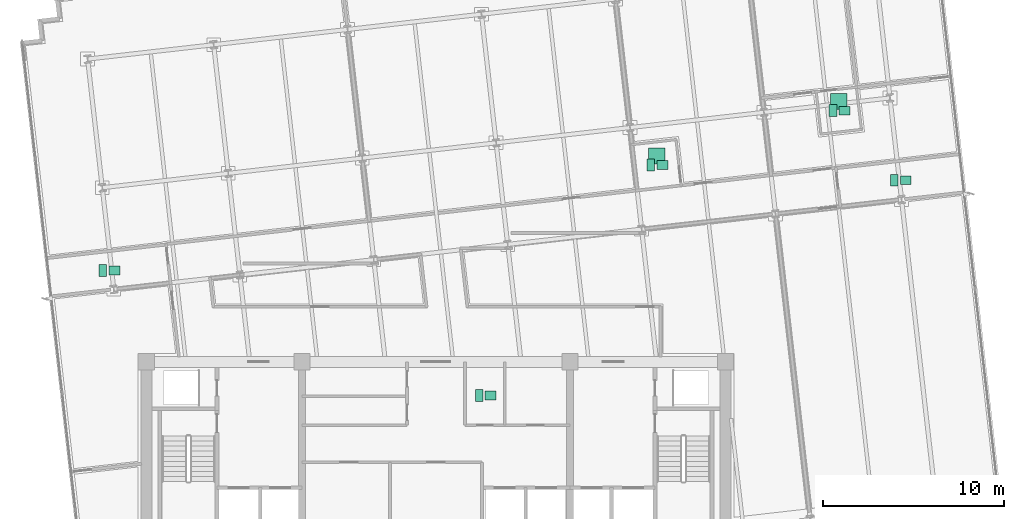
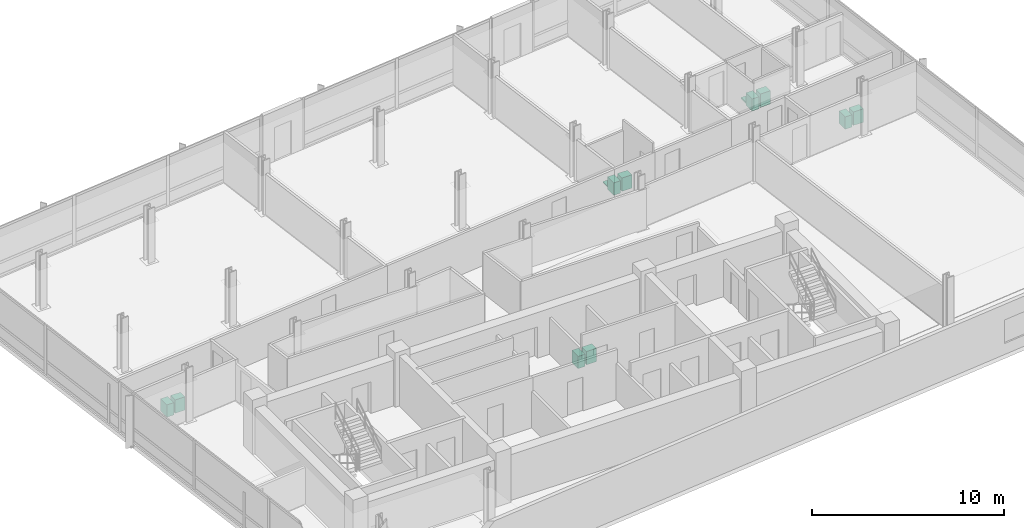
# One storey, part 16 of 16: 12 sanitary terminals.
"""IFC4 building model written with IfcOpenShell, lengths in metres."""

import ifcopenshell
import ifcopenshell.guid

model = None  # the IFC model being written
_history = None  # IfcOwnerHistory: only IFC2X3 demands one
_inside = {}  # id of a spatial element -> (the spatial element, [elements in it])
_under = {}  # id of a project, library or spatial element -> (it, [spatial elements below it])
_declared = {}  # id of a project -> (the project, [libraries it declares])
_typed = {}  # id of a type object -> (the type object, [elements of that type])
_made_of = {}  # id of a material, layer set ... -> (it, [elements and type objects made of it])


def new_model(schema):
    """Start an empty IFC model of exactly this schema.

    Asked for "IFC4X3", IfcOpenShell would pick the latest addendum, in which some entities
    have other attributes; the version numbers below select the first issue.
    IFC2X3 requires an IfcOwnerHistory on every rooted entity: one is made here for all.
    """
    global model, _history
    if schema == "IFC4X3":
        model = ifcopenshell.file(schema_version=(4, 3, 0, 0))
    else:
        model = ifcopenshell.file(schema=schema)
    _inside.clear()
    _under.clear()
    _declared.clear()
    _typed.clear()
    _made_of.clear()
    _history = None
    if model.schema == "IFC2X3":
        org = make("IfcOrganization", Name="unknown")
        user = make(
            "IfcPersonAndOrganization",
            ThePerson=make("IfcPerson", FamilyName="unknown"),
            TheOrganization=org,
        )
        app = make(
            "IfcApplication",
            ApplicationDeveloper=org,
            Version="unknown",
            ApplicationFullName="unknown",
            ApplicationIdentifier="unknown",
        )
        _history = make(
            "IfcOwnerHistory",
            OwningUser=user,
            OwningApplication=app,
            ChangeAction="ADDED",
            CreationDate=0,
        )
    return model


def make(cls, **values):
    """One entity of the class cls with the attributes given. An attribute that is None is left unset."""
    return model.create_entity(
        cls, **{name: value for name, value in values.items() if value is not None}
    )


def rooted(cls, **values):
    """An entity with a GlobalId (a new one), such as an element, a storey or a relation."""
    return make(cls, GlobalId=ifcopenshell.guid.new(), OwnerHistory=_history, **values)


def si_unit(unit_type, name, prefix=None):
    """IfcSIUnit, for example si_unit("LENGTHUNIT", "METRE", prefix="MILLI")."""
    return make("IfcSIUnit", UnitType=unit_type, Prefix=prefix, Name=name)


def assignment(units):
    """IfcUnitAssignment: the units of a project."""
    return None if units is None else make("IfcUnitAssignment", Units=units)


def point(xyz):
    """IfcCartesianPoint."""
    return None if xyz is None else make("IfcCartesianPoint", Coordinates=xyz)


def direction(xyz):
    """IfcDirection."""
    return None if xyz is None else make("IfcDirection", DirectionRatios=xyz)


def frame(location, z_axis=None, x_axis=None):
    """IfcAxis2Placement3D, a coordinate frame: its origin and axes. An axis left out is left unset."""
    return make(
        "IfcAxis2Placement3D",
        Location=point(location),
        Axis=direction(z_axis),
        RefDirection=direction(x_axis),
    )


def frame_2d(location, x_axis=None):
    """IfcAxis2Placement2D, a coordinate frame in the plane: its origin and x axis."""
    return make(
        "IfcAxis2Placement2D", Location=point(location), RefDirection=direction(x_axis)
    )


def origin():
    """The frame at (0, 0, 0) with its axes left unset."""
    return frame((0.0, 0.0, 0.0))


def origin_2d():
    """The frame at (0, 0) in the plane with its x axis left unset."""
    return frame_2d((0.0, 0.0))


def place(relative_to, where):
    """IfcLocalPlacement: puts the frame where relative to a parent placement (None: the world)."""
    return make(
        "IfcLocalPlacement", PlacementRelTo=relative_to, RelativePlacement=where
    )


def context(
    kind, dimensions, precision=None, world=None, true_north=None, identifier=None
):
    """IfcGeometricRepresentationContext, for example the 3D "Model" context."""
    return make(
        "IfcGeometricRepresentationContext",
        ContextIdentifier=identifier,
        ContextType=kind,
        CoordinateSpaceDimension=dimensions,
        Precision=precision,
        WorldCoordinateSystem=world,
        TrueNorth=true_north,
    )


def subcontext(parent, identifier, kind, view, scale=None):
    """IfcGeometricRepresentationSubContext, for example "Body" below "Model"."""
    return make(
        "IfcGeometricRepresentationSubContext",
        ContextIdentifier=identifier,
        ContextType=kind,
        ParentContext=parent,
        TargetScale=scale,
        TargetView=view,
    )


def project(units=None, contexts=None):
    """IfcProject with its units and contexts."""
    return rooted(
        "IfcProject",
        Name="project",
        RepresentationContexts=contexts,
        UnitsInContext=assignment(units),
    )


def spatial(cls, under=None, at=None, **own):
    """A site, building, storey or space (cls), placed at a placement, below another one or the project."""
    s = rooted(cls, ObjectPlacement=at, **own)
    if under is not None:
        _under.setdefault(under.id(), (under, []))[1].append(s)
    return s


def profile(cls, at=None, kind="AREA", **sizes):
    """A parametric profile (cls). Its sizes go by their IFC names, for example OverallWidth=200.0."""
    return make(cls, ProfileType=kind, Position=at, **sizes)


def rectangle(**sizes):
    """IfcRectangleProfileDef."""
    return profile("IfcRectangleProfileDef", **sizes)


def extrude(swept, where, along, depth):
    """IfcExtrudedAreaSolid: the profile swept, set in the frame where, extruded along a direction by depth."""
    return make(
        "IfcExtrudedAreaSolid",
        SweptArea=swept,
        Position=where,
        ExtrudedDirection=direction(along),
        Depth=depth,
    )


def shape(context_of_items, identifier, shape_type, items):
    """IfcShapeRepresentation: the items that make up one representation, for example the "Body"."""
    return make(
        "IfcShapeRepresentation",
        ContextOfItems=context_of_items,
        RepresentationIdentifier=identifier,
        RepresentationType=shape_type,
        Items=items,
    )


def material(Name=None, Category=None):
    """IfcMaterial."""
    return make("IfcMaterial", Name=Name, Category=Category)


def made_of(thing, what):
    """Note that an element or type object is made of a material, layer set ...; save() writes the relation."""
    if what is not None:
        _made_of.setdefault(what.id(), (what, []))[1].append(thing)
    return thing


def type_object(cls, material=None, **own):
    """A type object (cls), such as IfcWallType, which elements share."""
    return made_of(rooted(cls, **own), material)


def element(
    cls,
    number,
    at=None,
    inside=None,
    cuts=None,
    type_object=None,
    material=None,
    context=None,
    identifier="Body",
    shape_type=None,
    held_by="IfcProductDefinitionShape",
    body=None,
    shapes=None,
    **own,
):
    """One element of the class cls, such as IfcWall. Its Tag is "e" and its number.

    at: its placement. inside: the storey or other place that contains it. cuts: it is an
    opening in that element (IfcRelVoidsElement). A single representation is given by context,
    identifier, shape_type and body (its items); several are given by shapes. held_by: the class
    of the entity that holds the representations. save() writes the other relations.
    """
    e = rooted(cls, Tag="e%d" % number, ObjectPlacement=at, **own)
    if body is not None:
        shapes = [shape(context, identifier, shape_type, body)]
    if shapes is not None:
        e.Representation = make(held_by, Representations=shapes)
    if inside is not None:
        _inside.setdefault(inside.id(), (inside, []))[1].append(e)
    if cuts is not None:
        rooted(
            "IfcRelVoidsElement", RelatingBuildingElement=cuts, RelatedOpeningElement=e
        )
    if type_object is not None:
        _typed.setdefault(type_object.id(), (type_object, []))[1].append(e)
    return made_of(e, material)


def aggregate(whole, parts):
    """IfcRelAggregates: a whole, such as a stair, and the parts it consists of."""
    return rooted("IfcRelAggregates", RelatingObject=whole, RelatedObjects=parts)


def save(model, path):
    """Write the relations noted so far, then the file.

    IfcRelAggregates (storeys below a building ...), IfcRelContainedInSpatialStructure (elements
    in a storey), IfcRelDefinesByType, IfcRelAssociatesMaterial and IfcRelDeclares: one each for
    every whole, place, type object, material and project.
    """
    for whole, parts in _under.values():
        aggregate(whole, parts)
    for where, things in _inside.values():
        rooted(
            "IfcRelContainedInSpatialStructure",
            RelatedElements=things,
            RelatingStructure=where,
        )
    for kind, things in _typed.values():
        rooted("IfcRelDefinesByType", RelatedObjects=things, RelatingType=kind)
    for what, things in _made_of.values():
        rooted("IfcRelAssociatesMaterial", RelatedObjects=things, RelatingMaterial=what)
    for by, libraries in _declared.values():
        rooted("IfcRelDeclares", RelatingContext=by, RelatedDefinitions=libraries)
    model.write(path)


model = new_model("IFC4")

# Units and contexts
model_context = context("Model", 3, precision=1e-05, world=origin(), true_north=direction((0.0, 1.0)))
body_context = subcontext(model_context, "Body", "Model", "MODEL_VIEW")
ifc_project = project(units=[si_unit("LENGTHUNIT", "METRE"), si_unit("AREAUNIT", "SQUARE_METRE"), si_unit("VOLUMEUNIT", "CUBIC_METRE"), si_unit("PLANEANGLEUNIT", "RADIAN"), si_unit("MASSUNIT", "GRAM", prefix="KILO")], contexts=[model_context])

# Site, building, storey
site_placement = place(None, origin())
site = spatial("IfcSite", under=ifc_project, at=site_placement, CompositionType="ELEMENT")
building_placement = place(site_placement, origin())
building = spatial("IfcBuilding", under=site, at=building_placement, Name="Solmavex Isthmus Hotel", CompositionType="ELEMENT")
storey_placement = place(building_placement, frame((0.0, 0.0, 233.10009765625)))
storey = spatial("IfcBuildingStorey", under=building, at=storey_placement, Name="L63", CompositionType="ELEMENT", Elevation=233.10009765625)

# Sanitary terminals
ifc_material = material(Name="Vitreous china ceramic", Category="ceramic")
sanitary_terminal_type_1 = type_object("IfcSanitaryTerminalType", Name="SAN-BASIN", PredefinedType="WASHHANDBASIN", material=ifc_material)
for number, where, z_axis, x_axis, name in (
    (1, (3.02001953125, -4.360107421875, -0.000244140625), (0.0, 0.0, 1.0), (1.0, 0.0, 0.0), "Vanity Washbasin L63-316"),
    (2, (12.509765625, 8.37109375, -0.000244140625), (0.0, 0.0, 1.0), (1.0, 0.0, 0.0), "Vanity Washbasin L63-317"),
    (3, (22.57421875, 11.377685546875, -0.000244140625), (0.0, 0.0, 1.0), (1.0, 0.0, 0.0), "Vanity Washbasin L63-318"),
    (4, (-17.761474609375, 2.546875, -0.000244140625), (0.0, 0.0, 1.0), (1.0, 0.0, 0.0), "Vanity Washbasin L63-319"),
    (5, (25.956787109375, 7.52783203125, -0.000244140625), (0.0, 0.0, 1.0), (1.0, 0.0, 0.0), "Vanity Washbasin L63-320"),
):
    element("IfcSanitaryTerminal", number, at=place(storey_placement, frame(where, z_axis=z_axis, x_axis=x_axis)), inside=storey, type_object=sanitary_terminal_type_1, Name=name, PredefinedType="WASHHANDBASIN", context=body_context, shape_type="SweptSolid", body=[
        extrude(rectangle(XDim=0.60009765625, YDim=0.47998046875, at=origin_2d()), origin(), (0.0, 0.0, 1.0), 0.85009765625),
    ])
sanitary_terminal_type_2 = type_object("IfcSanitaryTerminalType", Name="SAN-SHOWER", PredefinedType="SHOWER", material=ifc_material)
for number, where, z_axis, x_axis, name in (
    (6, (12.189697265625, 8.87109375, -0.000244140625), (0.0, 0.0, 1.0), (1.0, 0.0, 0.0), "Walk-In Shower L63-317"),
    (7, (22.254150390625, 11.877685546875, -0.000244140625), (0.0, 0.0, 1.0), (1.0, 0.0, 0.0), "Walk-In Shower L63-318"),
):
    element("IfcSanitaryTerminal", number, at=place(storey_placement, frame(where, z_axis=z_axis, x_axis=x_axis)), inside=storey, type_object=sanitary_terminal_type_2, Name=name, PredefinedType="SHOWER", context=body_context, shape_type="SweptSolid", body=[
        extrude(rectangle(XDim=0.89990234375, YDim=0.89990234375, at=origin_2d()), origin(), (0.0, 0.0, 1.0), 0.080078125),
    ])
sanitary_terminal_type_3 = type_object("IfcSanitaryTerminalType", Name="SAN-WC-SUITE", PredefinedType="TOILETPAN", material=ifc_material)
for number, where, z_axis, x_axis, name in (
    (8, (2.3798828125, -4.360107421875, 0.0), (0.0, 0.0, 1.0), (1.0, 0.0, 0.0), "Water Closet L63-316"),
    (9, (11.869873046875, 8.37109375, 0.0), (0.0, 0.0, 1.0), (1.0, 0.0, 0.0), "Water Closet L63-317"),
    (10, (21.93408203125, 11.377685546875, 0.0), (0.0, 0.0, 1.0), (1.0, 0.0, 0.0), "Water Closet L63-318"),
    (11, (-18.401611328125, 2.546875, 0.0), (0.0, 0.0, 1.0), (1.0, 0.0, 0.0), "Water Closet L63-319"),
    (12, (25.316650390625, 7.52783203125, 0.0), (0.0, 0.0, 1.0), (1.0, 0.0, 0.0), "Water Closet L63-320"),
):
    element("IfcSanitaryTerminal", number, at=place(storey_placement, frame(where, z_axis=z_axis, x_axis=x_axis)), inside=storey, type_object=sanitary_terminal_type_3, Name=name, PredefinedType="TOILETPAN", context=body_context, shape_type="SweptSolid", body=[
        extrude(rectangle(XDim=0.419921875, YDim=0.64990234375, at=origin_2d()), origin(), (0.0, 0.0, 1.0), 0.780029296875),
    ])

save(model, "model.ifc")
